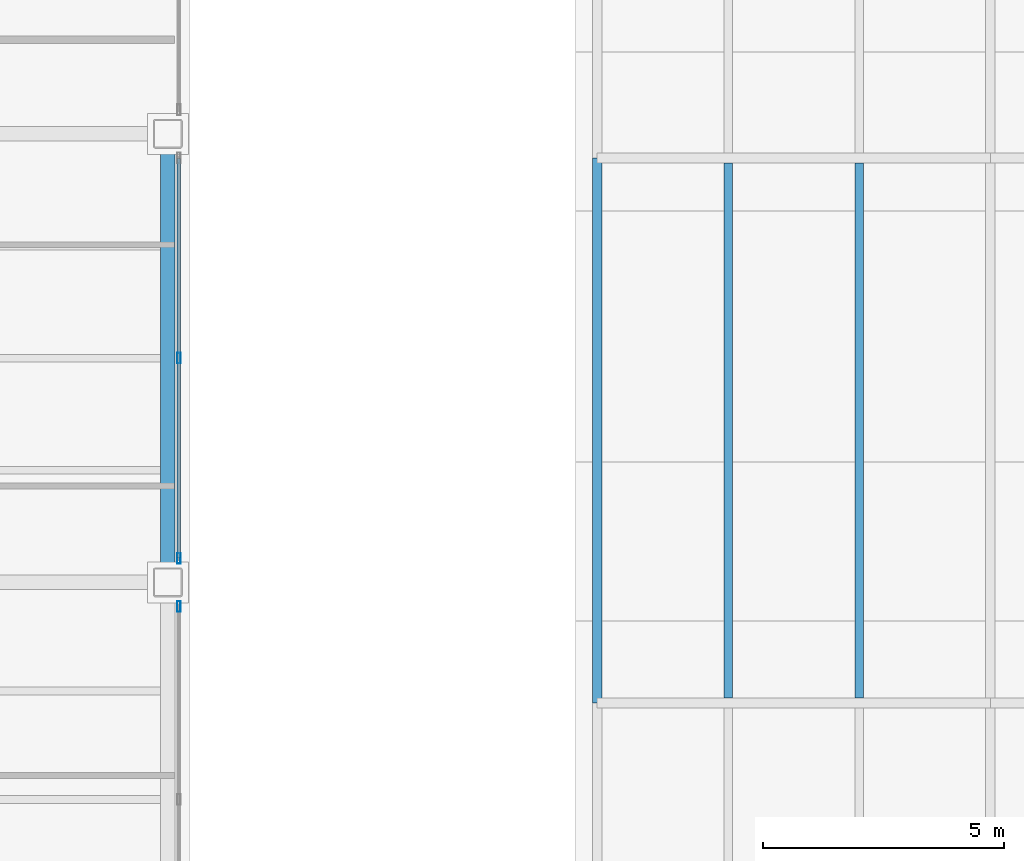
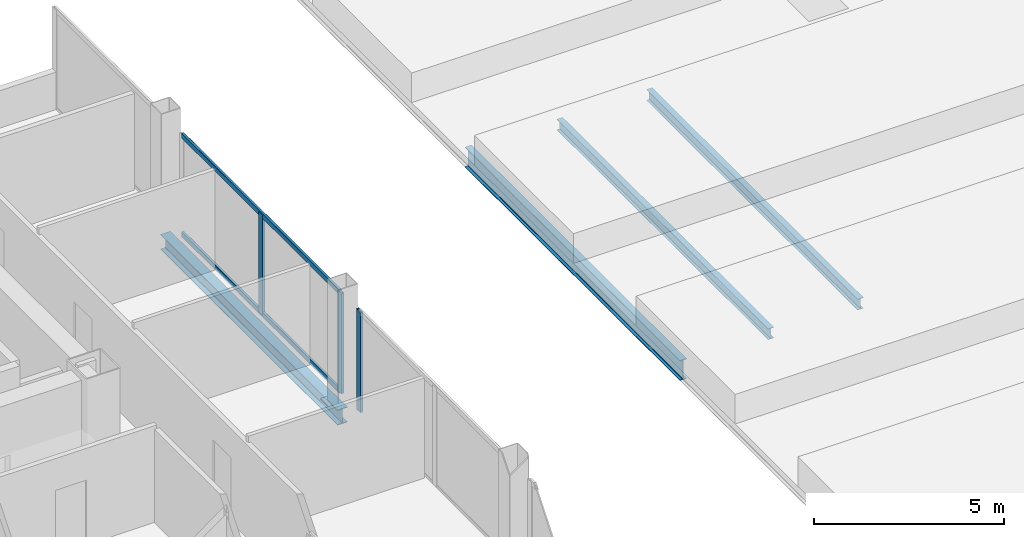
# One storey, part 14 of 30: 5 members, 4 beams, 2 elements without a shape of their own.
"""IFC4 building model written with IfcOpenShell, lengths in metres."""

from ifc_helpers import new_model, si_unit, direction, frame, origin, origin_2d, place, context, subcontext, project, spatial, hollow_rectangle, i_section, extrude, material, material_profile, profile_set, type_object, element, aggregate, save


model = new_model("IFC4")

# Units and contexts
model_context = context("Model", 3, precision=1e-05, world=origin(), true_north=direction((0.0, 1.0)))
body_context = subcontext(model_context, "Body", "Model", "MODEL_VIEW")
ifc_project = project(units=[si_unit("LENGTHUNIT", "METRE"), si_unit("AREAUNIT", "SQUARE_METRE"), si_unit("VOLUMEUNIT", "CUBIC_METRE"), si_unit("PLANEANGLEUNIT", "RADIAN"), si_unit("MASSUNIT", "GRAM", prefix="KILO")], contexts=[model_context])

# Site, building, storey
site_placement = place(None, origin())
site = spatial("IfcSite", under=ifc_project, at=site_placement, CompositionType="ELEMENT")
building_placement = place(site_placement, origin())
building = spatial("IfcBuilding", under=site, at=building_placement, Name="Noeulbin Bourse Tower", CompositionType="ELEMENT")
storey_placement = place(building_placement, frame((0.0, 0.0, 26.5)))
storey = spatial("IfcBuildingStorey", under=building, at=storey_placement, Name="L06", CompositionType="ELEMENT", Elevation=26.5)

# Beams
ifc_material_1 = material(Name="Steel S355", Category="steel")
ifc_material_profile_1 = material_profile(ifc_material_1, i_section(OverallWidth=0.199951171875, OverallDepth=0.64990234375, WebThickness=0.010986328125, FlangeThickness=0.01904296875, FilletRadius=0.02197265625, at=origin_2d()), Name="H-650x200x11x19", Category="LoadBearing")
ifc_profile_set_1 = profile_set([ifc_material_profile_1], Name="Steel S355")
beam_type_1 = type_object("IfcBeamType", Name="BM-GRD-650", PredefinedType="USERDEFINED", material=ifc_profile_set_1)
beam_1_placement = place(storey_placement, frame((60.449951171875, 26.5, -0.534912109375), z_axis=(0.0, 1.0, 0.0), x_axis=(-1.0, 0.0, 0.0)))
element("IfcBeam", 1, at=beam_1_placement, inside=storey, type_object=beam_type_1, Name="Market Hall Girder NS L06-13", ObjectType="GIRDER", PredefinedType="USERDEFINED", context=body_context, shape_type="SweptSolid", body=[
    extrude(i_section(OverallWidth=0.199951171875, OverallDepth=0.64990234375, WebThickness=0.010986328125, FlangeThickness=0.01904296875, FilletRadius=0.02197265625, at=origin_2d()), origin(), (0.0, 0.0, 1.0), 11.300048828125),
])
ifc_material_profile_2 = material_profile(ifc_material_1, i_section(OverallWidth=0.175048828125, OverallDepth=0.35009765625, WebThickness=0.007080078125, FlangeThickness=0.010986328125, FilletRadius=0.013916015625, at=origin_2d()), Name="H-350x175x7x11", Category="LoadBearing")
ifc_profile_set_2 = profile_set([ifc_material_profile_2], Name="Steel S355")
beam_type_2 = type_object("IfcBeamType", Name="BM-JST-350", PredefinedType="JOIST", material=ifc_profile_set_2)
for number, where, z_axis, x_axis, name in (
    (2, (63.166748046875, 26.60009765625, -0.385009765625), (0.0, 1.0, 0.0), (-1.0, 0.0, 0.0), "Market Hall Secondary Joist L06-03"),
    (3, (65.88330078125, 26.60009765625, -0.385009765625), (0.0, 1.0, 0.0), (-1.0, 0.0, 0.0), "Market Hall Secondary Joist L06-07"),
):
    element("IfcBeam", number, at=place(storey_placement, frame(where, z_axis=z_axis, x_axis=x_axis)), inside=storey, type_object=beam_type_2, Name=name, PredefinedType="JOIST", context=body_context, shape_type="SweptSolid", body=[
        extrude(i_section(OverallWidth=0.175048828125, OverallDepth=0.35009765625, WebThickness=0.007080078125, FlangeThickness=0.010986328125, FilletRadius=0.013916015625, at=origin_2d()), origin(), (0.0, 0.0, 1.0), 11.099853515625),
    ])
ifc_material_profile_3 = material_profile(ifc_material_1, i_section(OverallWidth=0.300048828125, OverallDepth=0.488037109375, WebThickness=0.010986328125, FlangeThickness=0.01806640625, FilletRadius=0.02197265625, at=origin_2d()), Name="H-488x300x11x18", Category="LoadBearing")
ifc_profile_set_3 = profile_set([ifc_material_profile_3], Name="Steel S355")
beam_type_3 = type_object("IfcBeamType", Name="BM-SPN-488", PredefinedType="SPANDREL", material=ifc_profile_set_3)
beam_2_placement = place(storey_placement, frame((51.550048828125, 29.0, -0.424072265625), z_axis=(0.0, 1.0, 0.0), x_axis=(-1.0, 0.0, 0.0)))
element("IfcBeam", 4, at=beam_2_placement, inside=storey, type_object=beam_type_3, Name="East Spandrel L06-2", PredefinedType="SPANDREL", context=body_context, shape_type="SweptSolid", body=[
    extrude(i_section(OverallWidth=0.300048828125, OverallDepth=0.488037109375, WebThickness=0.010986328125, FlangeThickness=0.01806640625, FilletRadius=0.02197265625, at=origin_2d()), origin(), (0.0, 0.0, 1.0), 9.300048828125),
])

# Curtain wall, member
ifc_material_2 = material(Name="Dark Solar-Control Double Glazing", Category="glass")
curtain_wall_type = type_object("IfcCurtainWallType", Name="CW-SYS-2", PredefinedType="NOTDEFINED", material=ifc_material_2)
curtain_wall_1_placement = place(storey_placement, origin())
curtain_wall_1 = element("IfcCurtainWall", 5, at=curtain_wall_1_placement, inside=storey, type_object=curtain_wall_type, Name="Unitised Curtain Wall CW-L06-E-S2", PredefinedType="NOTDEFINED")
ifc_material_3 = material(Name="Anodised Aluminium 6063-T6", Category="aluminium")
ifc_material_profile_4 = material_profile(ifc_material_3, hollow_rectangle(XDim=0.074951171875, YDim=0.219970703125, WallThickness=0.0048828125, InnerFilletRadius=0.00244140625, OuterFilletRadius=0.0048828125, at=origin_2d()), Name="ALU-MULL-75x220x5", Category="LoadBearing")
ifc_profile_set_4 = profile_set([ifc_material_profile_4], Name="Anodised Aluminium 6063-T6")
member_type_1 = type_object("IfcMemberType", Name="CW-SYS-2-MUL", PredefinedType="MULLION", material=ifc_profile_set_4)
member_1_placement = place(storey_placement, frame((51.780029296875, 28.5, -0.02001953125), z_axis=(0.0, 0.0, 1.0), x_axis=(1.0, 0.0, 0.0)))
member_1 = element("IfcMember", 6, at=member_1_placement, type_object=member_type_1, Name="Curtain Wall Mullion CW-L06-E-S2-M02", PredefinedType="MULLION", context=body_context, shape_type="SweptSolid", body=[
    extrude(hollow_rectangle(XDim=0.074951171875, YDim=0.219970703125, WallThickness=0.0048828125, InnerFilletRadius=0.00244140625, OuterFilletRadius=0.0048828125, at=origin_2d()), origin(), (0.0, 0.0, 1.0), 3.219970703125),
])
aggregate(curtain_wall_1, [member_1])

# Curtain wall, members
curtain_wall_2_placement = place(storey_placement, origin())
curtain_wall_2 = element("IfcCurtainWall", 7, at=curtain_wall_2_placement, inside=storey, type_object=curtain_wall_type, Name="Unitised Curtain Wall CW-L06-E-S3", PredefinedType="NOTDEFINED")
member_2_placement = place(storey_placement, frame((51.780029296875, 29.5, -0.02001953125), z_axis=(0.0, 0.0, 1.0), x_axis=(1.0, 0.0, 0.0)))
member_2 = element("IfcMember", 8, at=member_2_placement, type_object=member_type_1, Name="Curtain Wall Mullion CW-L06-E-S3-M00", PredefinedType="MULLION", context=body_context, shape_type="SweptSolid", body=[
    extrude(hollow_rectangle(XDim=0.074951171875, YDim=0.219970703125, WallThickness=0.0048828125, InnerFilletRadius=0.00244140625, OuterFilletRadius=0.0048828125, at=origin_2d()), origin(), (0.0, 0.0, 1.0), 3.219970703125),
])
member_3_placement = place(storey_placement, frame((51.780029296875, 33.64990234375, -0.02001953125), z_axis=(0.0, 0.0, 1.0), x_axis=(1.0, 0.0, 0.0)))
member_3 = element("IfcMember", 9, at=member_3_placement, type_object=member_type_1, Name="Curtain Wall Mullion CW-L06-E-S3-M01", PredefinedType="MULLION", context=body_context, shape_type="SweptSolid", body=[
    extrude(hollow_rectangle(XDim=0.074951171875, YDim=0.219970703125, WallThickness=0.0048828125, InnerFilletRadius=0.00244140625, OuterFilletRadius=0.0048828125, at=origin_2d()), origin(), (0.0, 0.0, 1.0), 3.219970703125),
])
ifc_material_profile_5 = material_profile(ifc_material_3, hollow_rectangle(XDim=0.074951171875, YDim=0.159912109375, WallThickness=0.0048828125, InnerFilletRadius=0.00244140625, OuterFilletRadius=0.0048828125, at=origin_2d()), Name="ALU-TRAN-75x160x5", Category="LoadBearing")
ifc_profile_set_5 = profile_set([ifc_material_profile_5], Name="Anodised Aluminium 6063-T6")
member_type_2 = type_object("IfcMemberType", Name="CW-SYS-2-TRN", PredefinedType="USERDEFINED", material=ifc_profile_set_5)
member_4_placement = place(storey_placement, frame((51.780029296875, 29.510009765625, 0.010009765625), z_axis=(0.0, 1.0, 0.0), x_axis=(-1.0, 0.0, 0.0)))
member_4 = element("IfcMember", 10, at=member_4_placement, type_object=member_type_2, Name="Curtain Wall Transom CW-L06-E-S3-T00", ObjectType="TRANSOM", PredefinedType="USERDEFINED", context=body_context, shape_type="SweptSolid", body=[
    extrude(hollow_rectangle(XDim=0.074951171875, YDim=0.159912109375, WallThickness=0.0048828125, InnerFilletRadius=0.00244140625, OuterFilletRadius=0.0048828125, at=origin_2d()), origin(), (0.0, 0.0, 1.0), 8.280029296875),
])
member_5_placement = place(storey_placement, frame((51.780029296875, 29.510009765625, 3.169921875), z_axis=(0.0, 1.0, 0.0), x_axis=(-1.0, 0.0, 0.0)))
member_5 = element("IfcMember", 11, at=member_5_placement, type_object=member_type_2, Name="Curtain Wall Transom CW-L06-E-S3-T01", ObjectType="TRANSOM", PredefinedType="USERDEFINED", context=body_context, shape_type="SweptSolid", body=[
    extrude(hollow_rectangle(XDim=0.074951171875, YDim=0.159912109375, WallThickness=0.0048828125, InnerFilletRadius=0.00244140625, OuterFilletRadius=0.0048828125, at=origin_2d()), origin(), (0.0, 0.0, 1.0), 8.280029296875),
])
aggregate(curtain_wall_2, [member_2, member_3, member_4, member_5])

save(model, "model.ifc")
